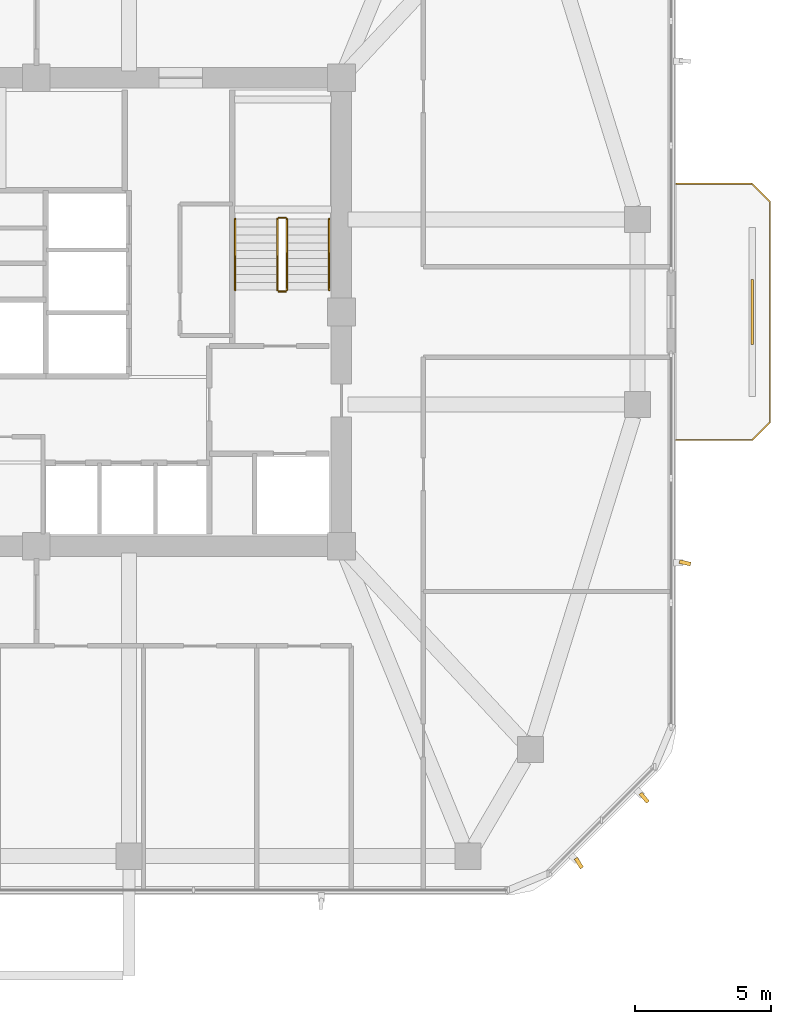
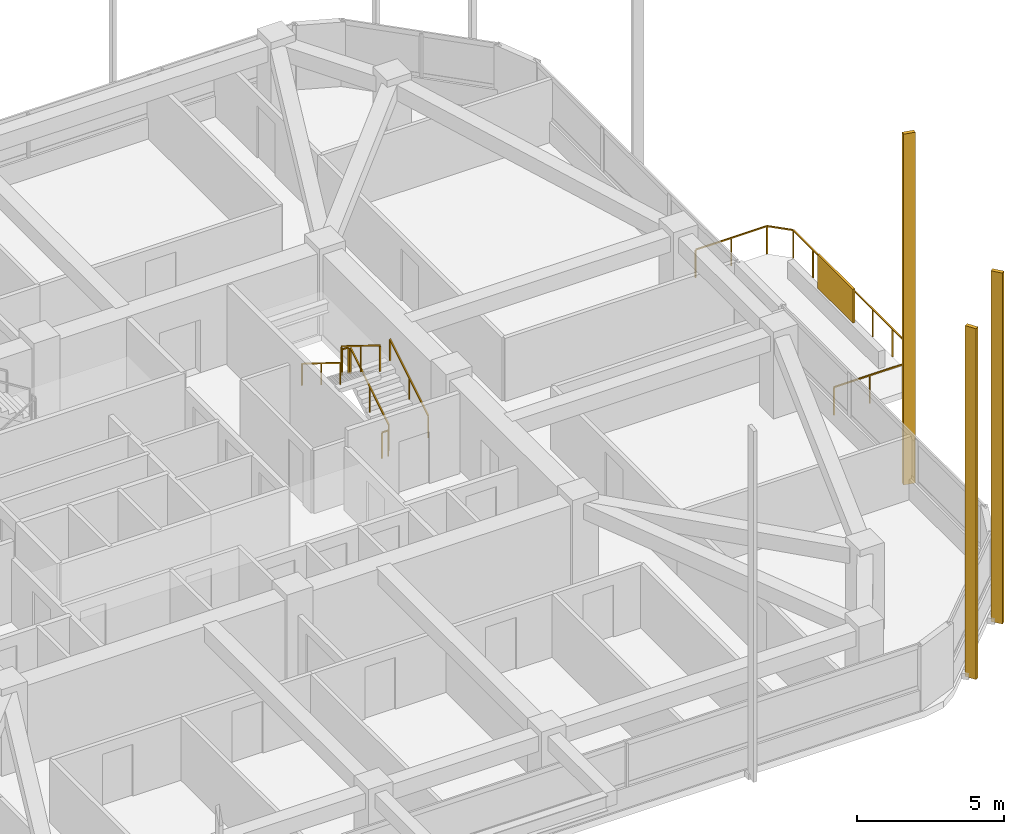
# One storey, part 13 of 14: 7 railings, 4 shading devices.
"""IFC4 building model written with IfcOpenShell, lengths in metres."""

from ifc_helpers import new_model, si_unit, derived_unit, direction, frame, origin, origin_2d, place, context, subcontext, project, spatial, rectangle, extrude, material, layer, layer_set, type_object, element, save


model = new_model("IFC4")

# Units and contexts
model_context = context("Model", 3, precision=1e-05, world=origin(), true_north=direction((0.0, 1.0)))
body_context = subcontext(model_context, "Body", "Model", "MODEL_VIEW")
ifc_project = project(units=[si_unit("LENGTHUNIT", "METRE"), si_unit("AREAUNIT", "SQUARE_METRE"), si_unit("VOLUMEUNIT", "CUBIC_METRE"), si_unit("PLANEANGLEUNIT", "RADIAN"), si_unit("MASSUNIT", "GRAM", prefix="KILO"), derived_unit("THERMALTRANSMITTANCEUNIT", [(si_unit("POWERUNIT", "WATT"), 1), (si_unit("LENGTHUNIT", "METRE"), -2), (si_unit("THERMODYNAMICTEMPERATUREUNIT", "KELVIN"), -1)])], contexts=[model_context])

# Site, building, storey
site_placement = place(None, origin())
site = spatial("IfcSite", under=ifc_project, at=site_placement, CompositionType="ELEMENT")
building_placement = place(site_placement, origin())
building = spatial("IfcBuilding", under=site, at=building_placement, Name="Koralith Skygarden Medical Center", CompositionType="ELEMENT")
storey_placement = place(building_placement, frame((0.0, 0.0, 145.6201171875)))
storey = spatial("IfcBuildingStorey", under=building, at=storey_placement, Name="L37", CompositionType="ELEMENT", Elevation=145.6201171875)

# Shading devices
ifc_material_1 = material(Name="Aluminium 6063-T6", Category="aluminium")
shading_device_type_1 = type_object("IfcShadingDeviceType", Name="Limestone-Clad Solar Storm Fin 420", PredefinedType="USERDEFINED", material=ifc_material_1)
for number, where, z_axis, x_axis, name in (
    (1, (56.91796875, 5.66796875, -0.2001953125), (0.0, 0.0, 1.0), (0.528601315846, -0.848870219107, 0.0), "L37 SE Harmonic Solar Storm Fin 1"),
    (2, (59.31591796875, 8.06591796875, -0.2001953125), (0.0, 0.0, 1.0), (0.643095067836, -0.765786349921, 0.0), "L37 SE Harmonic Solar Storm Fin 2"),
    (3, (60.81396484375, 16.68994140625, -0.2001953125), (0.0, 0.0, 1.0), (0.974019463256, -0.226464313299, 0.0), "L37 E Harmonic Solar Storm Fin 1"),
):
    element("IfcShadingDevice", number, at=place(storey_placement, frame(where, z_axis=z_axis, x_axis=x_axis)), inside=storey, type_object=shading_device_type_1, Name=name, ObjectType="SOLAR FIN", PredefinedType="USERDEFINED", context=body_context, shape_type="SweptSolid", body=[
        extrude(rectangle(XDim=0.419921875, YDim=0.139892578125, at=origin_2d()), origin(), (0.0, 0.0, 1.0), 14.550048828125),
    ])

# Railing
ifc_material_2 = material(Name="Steel ASTM A500 Grade C", Category="steel")
railing_type_1 = type_object("IfcRailingType", Name="Outdoor Terrace & Balcony Safety Guardrail 1180", PredefinedType="GUARDRAIL", material=ifc_material_2)
railing_1_placement = place(storey_placement, frame((60.48388671875, 21.199951171875, 0.0)))
element("IfcRailing", 4, at=railing_1_placement, inside=storey, type_object=railing_type_1, Name="L37 E Balcony Perimeter Guardrail", PredefinedType="GUARDRAIL", context=body_context, shape_type="SweptSolid", body=[
    extrude(rectangle(XDim=0.050048828125, YDim=0.050048828125, at=origin_2d()), frame((0.001953125, 0.0, 1.15478515625), z_axis=(1.0, 0.0, 0.0), x_axis=(0.0, 1.0, 0.0)), (0.0, 0.0, 1.0), 2.796142578125),
    extrude(rectangle(XDim=0.050048828125, YDim=0.050048828125, at=origin_2d()), frame((2.801513671875, 0.00146484375, 1.15478515625), z_axis=(0.707106781187, 0.707106781187, 0.0), x_axis=(-0.707106781187, 0.707106781187, 0.0)), (0.0, 0.0, 1.0), 0.91552734375),
    extrude(rectangle(XDim=0.050048828125, YDim=0.050048828125, at=origin_2d()), frame((3.4501953125, 0.652099609375, 1.15478515625), z_axis=(0.0, 1.0, 0.0), x_axis=(-1.0, 0.0, 0.0)), (0.0, 0.0, 1.0), 8.095947265625),
    extrude(rectangle(XDim=0.050048828125, YDim=0.050048828125, at=origin_2d()), frame((3.44873046875, 8.75146484375, 1.15478515625), z_axis=(-0.707106781187, 0.707106781187, 0.0), x_axis=(-0.707106781187, -0.707106781187, 0.0)), (0.0, 0.0, 1.0), 0.91552734375),
    extrude(rectangle(XDim=0.050048828125, YDim=0.050048828125, at=origin_2d()), frame((2.798095703125, 9.400146484375, 1.15478515625), z_axis=(-1.0, 0.0, 0.0), x_axis=(0.0, -1.0, 0.0)), (0.0, 0.0, 1.0), 2.796142578125),
    extrude(rectangle(XDim=0.0419921875, YDim=0.0419921875, at=origin_2d()), origin(), (0.0, 0.0, 1.0), 1.1279296875),
    extrude(rectangle(XDim=0.0419921875, YDim=0.0419921875, at=origin_2d()), frame((1.39990234375, 0.0, 0.0)), (0.0, 0.0, 1.0), 1.1279296875),
    extrude(rectangle(XDim=0.0419921875, YDim=0.0419921875, at=origin_2d()), frame((2.800048828125, 0.0, 0.0)), (0.0, 0.0, 1.0), 1.1279296875),
    extrude(rectangle(XDim=0.0419921875, YDim=0.0419921875, at=origin_2d()), frame((3.4501953125, 0.650146484375, 0.0)), (0.0, 0.0, 1.0), 1.1279296875),
    extrude(rectangle(XDim=0.0419921875, YDim=0.0419921875, at=origin_2d()), frame((3.4501953125, 2.0, 0.0)), (0.0, 0.0, 1.0), 1.1279296875),
    extrude(rectangle(XDim=0.0419921875, YDim=0.0419921875, at=origin_2d()), frame((3.4501953125, 3.35009765625, 0.0)), (0.0, 0.0, 1.0), 1.1279296875),
    extrude(rectangle(XDim=0.0419921875, YDim=0.0419921875, at=origin_2d()), frame((3.4501953125, 4.7001953125, 0.0)), (0.0, 0.0, 1.0), 1.1279296875),
    extrude(rectangle(XDim=0.0419921875, YDim=0.0419921875, at=origin_2d()), frame((3.4501953125, 6.050048828125, 0.0)), (0.0, 0.0, 1.0), 1.1279296875),
    extrude(rectangle(XDim=0.0419921875, YDim=0.0419921875, at=origin_2d()), frame((3.4501953125, 7.39990234375, 0.0)), (0.0, 0.0, 1.0), 1.1279296875),
    extrude(rectangle(XDim=0.0419921875, YDim=0.0419921875, at=origin_2d()), frame((3.4501953125, 8.75, 0.0)), (0.0, 0.0, 1.0), 1.1279296875),
    extrude(rectangle(XDim=0.0419921875, YDim=0.0419921875, at=origin_2d()), frame((2.800048828125, 9.400146484375, 0.0)), (0.0, 0.0, 1.0), 1.1279296875),
    extrude(rectangle(XDim=0.0419921875, YDim=0.0419921875, at=origin_2d()), frame((1.39990234375, 9.400146484375, 0.0)), (0.0, 0.0, 1.0), 1.1279296875),
    extrude(rectangle(XDim=0.0419921875, YDim=0.0419921875, at=origin_2d()), frame((0.0, 9.400146484375, 0.0)), (0.0, 0.0, 1.0), 1.1279296875),
])

# Shading device
ifc_layer = layer(ifc_material_1, 0.080078125)
ifc_layer_set = layer_set([ifc_layer], Name="Aluminium 6063-T6")
shading_device_type_2 = type_object("IfcShadingDeviceType", Name="Perforated Biophilic Balcony Trellis Screen", PredefinedType="USERDEFINED", material=ifc_layer_set)
shading_device_placement = place(storey_placement, frame((63.283935546875, 25.89990234375, 0.719970703125), z_axis=(0.0, 0.0, 1.0), x_axis=(0.0, 1.0, 0.0)))
element("IfcShadingDevice", 5, at=shading_device_placement, inside=storey, type_object=shading_device_type_2, Name="L37 E Biophilic Balcony Trellis Screen", ObjectType="HURRICANE SCREEN", PredefinedType="USERDEFINED", context=body_context, shape_type="SweptSolid", body=[
    extrude(rectangle(XDim=2.39990234375, YDim=0.080078125, at=origin_2d()), origin(), (0.0, 0.0, 1.0), 1.39990234375),
])

# Railings
railing_type_2 = type_object("IfcRailingType", Name="Stair Flight Tubular Handrail 920", PredefinedType="HANDRAIL", material=ifc_material_2)
railing_2_placement = place(storey_placement, frame((47.75, 26.699951171875, 0.179931640625)))
element("IfcRailing", 6, at=railing_2_placement, inside=storey, type_object=railing_type_2, Name="L37 ST2 stair handrail 1", PredefinedType="HANDRAIL", context=body_context, shape_type="SweptSolid", body=[
    extrude(rectangle(XDim=0.050048828125, YDim=0.050048828125, at=origin_2d()), frame((0.0, 0.001708984375, 0.89599609375), z_axis=(0.0, 0.849668407637, 0.527317358963), x_axis=(-1.0, 0.0, 0.0)), (0.0, 0.0, 1.0), 3.06787109375),
    extrude(rectangle(XDim=0.0419921875, YDim=0.0419921875, at=origin_2d()), origin(), (0.0, 0.0, 1.0), 0.867919921875),
    extrude(rectangle(XDim=0.0419921875, YDim=0.0419921875, at=origin_2d()), frame((0.0, 1.30517578125, 0.81005859375)), (0.0, 0.0, 1.0), 0.867919921875),
    extrude(rectangle(XDim=0.0419921875, YDim=0.0419921875, at=origin_2d()), frame((0.0, 2.610107421875, 1.619873046875)), (0.0, 0.0, 1.0), 0.867919921875),
])
railing_3_placement = place(storey_placement, frame((44.300048828125, 29.31005859375, 1.97998046875)))
element("IfcRailing", 7, at=railing_3_placement, inside=storey, type_object=railing_type_2, Name="L37 ST2 stair handrail 2", PredefinedType="HANDRAIL", context=body_context, shape_type="SweptSolid", body=[
    extrude(rectangle(XDim=0.050048828125, YDim=0.050048828125, at=origin_2d()), frame((0.0, -0.001708984375, 0.89599609375), z_axis=(0.0, -0.849668407637, 0.527317358963), x_axis=(1.0, 0.0, 0.0)), (0.0, 0.0, 1.0), 3.06787109375),
    extrude(rectangle(XDim=0.0419921875, YDim=0.0419921875, at=origin_2d()), origin(), (0.0, 0.0, 1.0), 0.867919921875),
    extrude(rectangle(XDim=0.0419921875, YDim=0.0419921875, at=origin_2d()), frame((0.0, -1.30517578125, 0.81005859375)), (0.0, 0.0, 1.0), 0.867919921875),
    extrude(rectangle(XDim=0.0419921875, YDim=0.0419921875, at=origin_2d()), frame((0.0, -2.610107421875, 1.619873046875)), (0.0, 0.0, 1.0), 0.867919921875),
])
railing_type_3 = type_object("IfcRailingType", Name="Stair Well Safety Guardrail 1100", PredefinedType="GUARDRAIL", material=ifc_material_2)
railing_4_placement = place(storey_placement, frame((46.199951171875, 26.699951171875, 0.179931640625)))
element("IfcRailing", 8, at=railing_4_placement, inside=storey, type_object=railing_type_3, Name="L37 ST2 stair guard 1", PredefinedType="GUARDRAIL", context=body_context, shape_type="SweptSolid", body=[
    extrude(rectangle(XDim=0.050048828125, YDim=0.050048828125, at=origin_2d()), frame((0.0, 0.001708984375, 1.076171875), z_axis=(0.0, 0.849668407637, 0.527317358963), x_axis=(-1.0, 0.0, 0.0)), (0.0, 0.0, 1.0), 3.06787109375),
    extrude(rectangle(XDim=0.0419921875, YDim=0.0419921875, at=origin_2d()), origin(), (0.0, 0.0, 1.0), 1.048095703125),
    extrude(rectangle(XDim=0.0419921875, YDim=0.0419921875, at=origin_2d()), frame((0.0, 1.30517578125, 0.81005859375)), (0.0, 0.0, 1.0), 1.048095703125),
    extrude(rectangle(XDim=0.0419921875, YDim=0.0419921875, at=origin_2d()), frame((0.0, 2.610107421875, 1.619873046875)), (0.0, 0.0, 1.0), 1.048095703125),
])
railing_5_placement = place(storey_placement, frame((46.14990234375, 29.360107421875, 1.7998046875)))
element("IfcRailing", 9, at=railing_5_placement, inside=storey, type_object=railing_type_3, Name="L37 ST2 stair guard 2", PredefinedType="GUARDRAIL", context=body_context, shape_type="SweptSolid", body=[
    extrude(rectangle(XDim=0.050048828125, YDim=0.050048828125, at=origin_2d()), frame((-0.001953125, 0.0, 1.0751953125), z_axis=(-1.0, 0.0, 0.0), x_axis=(0.0, -1.0, 0.0)), (0.0, 0.0, 1.0), 0.24609375),
    extrude(rectangle(XDim=0.0419921875, YDim=0.0419921875, at=origin_2d()), origin(), (0.0, 0.0, 1.0), 1.048095703125),
    extrude(rectangle(XDim=0.0419921875, YDim=0.0419921875, at=origin_2d()), frame((-0.25, 0.0, 0.0)), (0.0, 0.0, 1.0), 1.048095703125),
])
railing_6_placement = place(storey_placement, frame((45.85009765625, 29.31005859375, 1.97998046875)))
element("IfcRailing", 10, at=railing_6_placement, inside=storey, type_object=railing_type_3, Name="L37 ST2 stair guard 3", PredefinedType="GUARDRAIL", context=body_context, shape_type="SweptSolid", body=[
    extrude(rectangle(XDim=0.050048828125, YDim=0.050048828125, at=origin_2d()), frame((0.0, -0.001708984375, 1.076171875), z_axis=(0.0, -0.849668407637, 0.527317358963), x_axis=(1.0, 0.0, 0.0)), (0.0, 0.0, 1.0), 3.06787109375),
    extrude(rectangle(XDim=0.0419921875, YDim=0.0419921875, at=origin_2d()), origin(), (0.0, 0.0, 1.0), 1.048095703125),
    extrude(rectangle(XDim=0.0419921875, YDim=0.0419921875, at=origin_2d()), frame((0.0, -1.30517578125, 0.81005859375)), (0.0, 0.0, 1.0), 1.048095703125),
    extrude(rectangle(XDim=0.0419921875, YDim=0.0419921875, at=origin_2d()), frame((0.0, -2.610107421875, 1.619873046875)), (0.0, 0.0, 1.0), 1.048095703125),
])
railing_7_placement = place(storey_placement, frame((46.14990234375, 26.64990234375, 0.0)))
element("IfcRailing", 11, at=railing_7_placement, inside=storey, type_object=railing_type_3, Name="L37 ST2 stair guard 4", PredefinedType="GUARDRAIL", context=body_context, shape_type="SweptSolid", body=[
    extrude(rectangle(XDim=0.050048828125, YDim=0.050048828125, at=origin_2d()), frame((-0.001953125, 0.0, 1.0751953125), z_axis=(-1.0, 0.0, 0.0), x_axis=(0.0, -1.0, 0.0)), (0.0, 0.0, 1.0), 0.24609375),
    extrude(rectangle(XDim=0.0419921875, YDim=0.0419921875, at=origin_2d()), origin(), (0.0, 0.0, 1.0), 1.048095703125),
    extrude(rectangle(XDim=0.0419921875, YDim=0.0419921875, at=origin_2d()), frame((-0.25, 0.0, 0.0)), (0.0, 0.0, 1.0), 1.048095703125),
])

save(model, "model.ifc")
